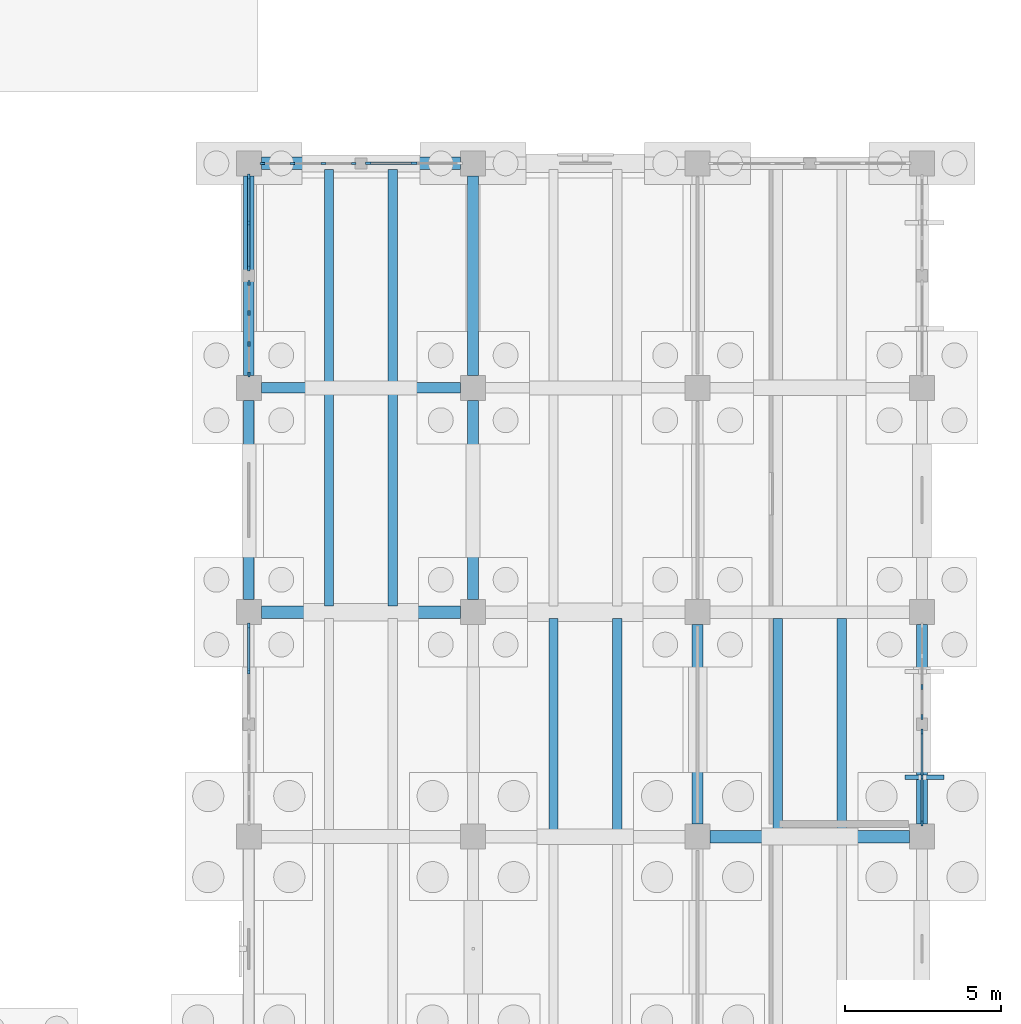
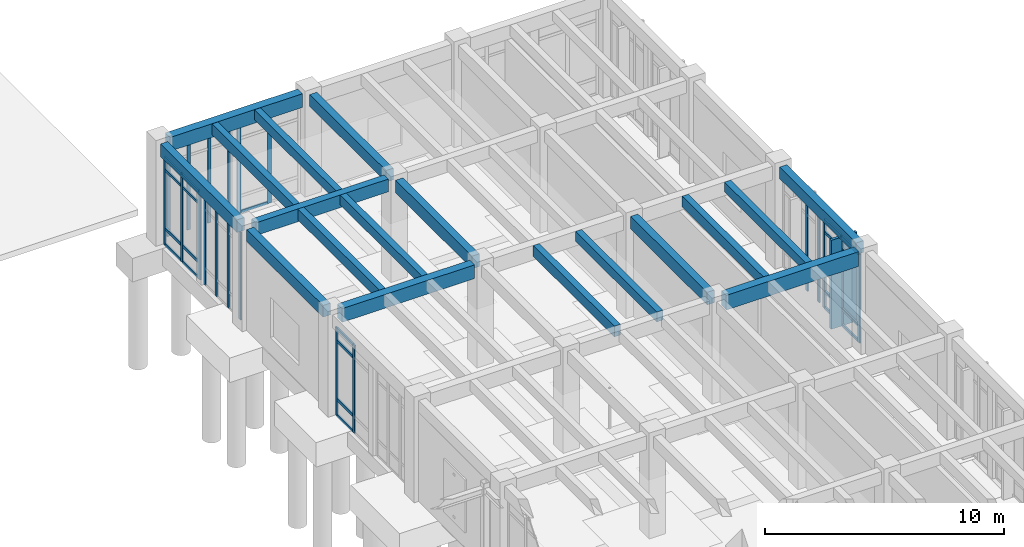
# One storey, part 41 of 93: 42 members, 18 beams, 7 elements without a shape of their own.
"""IFC4 building model written with IfcOpenShell, lengths in metres."""

from ifc_helpers import new_model, si_unit, direction, frame, origin, origin_2d, place, context, subcontext, project, spatial, rectangle, extrude, material, layer, layer_set, material_profile, profile_set, type_object, element, aggregate, save


model = new_model("IFC4")

# Units and contexts
model_context = context("Model", 3, precision=1e-05, world=origin(), true_north=direction((0.0, 1.0)))
body_context = subcontext(model_context, "Body", "Model", "MODEL_VIEW")
ifc_project = project(units=[si_unit("LENGTHUNIT", "METRE"), si_unit("AREAUNIT", "SQUARE_METRE"), si_unit("VOLUMEUNIT", "CUBIC_METRE"), si_unit("PLANEANGLEUNIT", "RADIAN"), si_unit("MASSUNIT", "GRAM", prefix="KILO")], contexts=[model_context])

# Site, building, storey
site_placement = place(None, origin())
site = spatial("IfcSite", under=ifc_project, at=site_placement, CompositionType="ELEMENT")
building_placement = place(site_placement, origin())
building = spatial("IfcBuilding", under=site, at=building_placement, Name="Koriwan Promenade Central Fire Station", CompositionType="ELEMENT")
storey_placement = place(building_placement, origin())
storey = spatial("IfcBuildingStorey", under=building, at=storey_placement, Name="L00", CompositionType="ELEMENT", Elevation=0.0)

# Beams
ifc_material_1 = material(Name="Concrete C35/45", Category="concrete")
ifc_material_profile_1 = material_profile(ifc_material_1, rectangle(XDim=0.300048828125, YDim=0.5, at=origin_2d()), Name="RC-BM-300x500")
ifc_profile_set_1 = profile_set([ifc_material_profile_1], Name="Concrete C35/45")
beam_type_1 = type_object("IfcBeamType", Name="Beam_RC-BM-300x500", PredefinedType="JOIST", material=ifc_profile_set_1)
for number, where, z_axis, x_axis, name in (
    (1, (163.02392578125, 57.800048828125, 4.89990234375), (0.0, 1.0, 0.0), (-1.0, 0.0, 0.0), "V5 L00 secondary joist 609"),
    (2, (170.22412109375, 57.800048828125, 4.89990234375), (0.0, 1.0, 0.0), (-1.0, 0.0, 0.0), "V5 L00 secondary joist 611"),
):
    element("IfcBeam", number, at=place(storey_placement, frame(where, z_axis=z_axis, x_axis=x_axis)), inside=storey, type_object=beam_type_1, Name=name, PredefinedType="JOIST", context=body_context, shape_type="SweptSolid", body=[
        extrude(rectangle(XDim=0.300048828125, YDim=0.5, at=origin_2d()), origin(), (0.0, 0.0, 1.0), 6.800048828125),
    ])
for number, where, z_axis, x_axis, name in (
    (3, (155.823974609375, 65.0, 4.89990234375), (0.0, 1.0, 0.0), (-1.0, 0.0, 0.0), "V5 L00 secondary joist 613"),
    (4, (155.823974609375, 72.175048828125, 4.89990234375), (0.0, 1.0, 0.0), (-1.0, 0.0, 0.0), "V5 L00 secondary joist 619"),
):
    element("IfcBeam", number, at=place(storey_placement, frame(where, z_axis=z_axis, x_axis=x_axis)), inside=storey, type_object=beam_type_1, Name=name, PredefinedType="JOIST", context=body_context, shape_type="SweptSolid", body=[
        extrude(rectangle(XDim=0.300048828125, YDim=0.5, at=origin_2d()), origin(), (0.0, 0.0, 1.0), 6.824951171875),
    ])
ifc_material_profile_2 = material_profile(ifc_material_1, rectangle(XDim=0.300048828125, YDim=0.550048828125, at=origin_2d()), Name="RC-BM-300x550")
ifc_profile_set_2 = profile_set([ifc_material_profile_2], Name="Concrete C35/45")
beam_type_2 = type_object("IfcBeamType", Name="Beam_RC-BM-300x550", PredefinedType="JOIST", material=ifc_profile_set_2)
for number, where, z_axis, x_axis, name in (
    (5, (160.97607421875, 57.800048828125, 4.875), (0.0, 1.0, 0.0), (-1.0, 0.0, 0.0), "V5 L00 secondary joist 608"),
    (6, (168.176025390625, 57.800048828125, 4.875), (0.0, 1.0, 0.0), (-1.0, 0.0, 0.0), "V5 L00 secondary joist 610"),
):
    element("IfcBeam", number, at=place(storey_placement, frame(where, z_axis=z_axis, x_axis=x_axis)), inside=storey, type_object=beam_type_2, Name=name, PredefinedType="JOIST", context=body_context, shape_type="SweptSolid", body=[
        extrude(rectangle(XDim=0.300048828125, YDim=0.550048828125, at=origin_2d()), origin(), (0.0, 0.0, 1.0), 6.800048828125),
    ])
for number, where, z_axis, x_axis, name in (
    (7, (153.77587890625, 65.0, 4.875), (0.0, 1.0, 0.0), (-1.0, 0.0, 0.0), "V5 L00 secondary joist 612"),
    (8, (153.77587890625, 72.175048828125, 4.875), (0.0, 1.0, 0.0), (-1.0, 0.0, 0.0), "V5 L00 secondary joist 618"),
):
    element("IfcBeam", number, at=place(storey_placement, frame(where, z_axis=z_axis, x_axis=x_axis)), inside=storey, type_object=beam_type_2, Name=name, PredefinedType="JOIST", context=body_context, shape_type="SweptSolid", body=[
        extrude(rectangle(XDim=0.300048828125, YDim=0.550048828125, at=origin_2d()), origin(), (0.0, 0.0, 1.0), 6.824951171875),
    ])
ifc_material_profile_3 = material_profile(ifc_material_1, rectangle(XDim=0.35009765625, YDim=0.60009765625, at=origin_2d()), Name="RC-BM-350x600")
ifc_profile_set_3 = profile_set([ifc_material_profile_3], Name="Concrete C35/45")
beam_type_3 = type_object("IfcBeamType", Name="Beam_RC-BM-350x600", PredefinedType="BEAM", material=ifc_profile_set_3)
for number, where, z_axis, x_axis, name in (
    (9, (151.199951171875, 65.199951171875, 4.85009765625), (0.0, 1.0, 0.0), (-1.0, 0.0, 0.0), "V5 L00 girder Y-528"),
    (10, (158.39990234375, 72.39990234375, 4.860107421875), (0.0, 1.0, 0.0), (-1.0, 0.0, 0.0), "V5 L00 girder Y-540"),
):
    element("IfcBeam", number, at=place(storey_placement, frame(where, z_axis=z_axis, x_axis=x_axis)), inside=storey, type_object=beam_type_3, Name=name, PredefinedType="BEAM", context=body_context, shape_type="SweptSolid", body=[
        extrude(rectangle(XDim=0.35009765625, YDim=0.60009765625, at=origin_2d()), origin(), (0.0, 0.0, 1.0), 6.400146484375),
    ])
beam_1_placement = place(storey_placement, frame((172.800048828125, 58.0, 4.85009765625), z_axis=(0.0, 1.0, 0.0), x_axis=(-1.0, 0.0, 0.0)))
element("IfcBeam", 11, at=beam_1_placement, inside=storey, type_object=beam_type_3, Name="V5 L00 girder Y-560", PredefinedType="BEAM", context=body_context, shape_type="SweptSolid", body=[
    extrude(rectangle(XDim=0.35009765625, YDim=0.60009765625, at=origin_2d()), origin(), (0.0, 0.0, 1.0), 6.39990234375),
])
ifc_material_profile_4 = material_profile(ifc_material_1, rectangle(XDim=0.35009765625, YDim=0.64990234375, at=origin_2d()), Name="RC-BM-350x650")
ifc_profile_set_4 = profile_set([ifc_material_profile_4], Name="Concrete C35/45")
beam_type_4 = type_object("IfcBeamType", Name="Beam_RC-BM-350x650", PredefinedType="BEAM", material=ifc_profile_set_4)
for number, where, z_axis, x_axis, name in (
    (12, (151.199951171875, 72.39990234375, 4.8349609375), (0.0, 1.0, 0.0), (-1.0, 0.0, 0.0), "V5 L00 girder Y-529"),
    (13, (158.39990234375, 65.199951171875, 4.824951171875), (0.0, 1.0, 0.0), (-1.0, 0.0, 0.0), "V5 L00 girder Y-539"),
):
    element("IfcBeam", number, at=place(storey_placement, frame(where, z_axis=z_axis, x_axis=x_axis)), inside=storey, type_object=beam_type_4, Name=name, PredefinedType="BEAM", context=body_context, shape_type="SweptSolid", body=[
        extrude(rectangle(XDim=0.35009765625, YDim=0.64990234375, at=origin_2d()), origin(), (0.0, 0.0, 1.0), 6.400146484375),
    ])
beam_2_placement = place(storey_placement, frame((165.60009765625, 58.0, 4.824951171875), z_axis=(0.0, 1.0, 0.0), x_axis=(-1.0, 0.0, 0.0)))
element("IfcBeam", 14, at=beam_2_placement, inside=storey, type_object=beam_type_4, Name="V5 L00 girder Y-549", PredefinedType="BEAM", context=body_context, shape_type="SweptSolid", body=[
    extrude(rectangle(XDim=0.35009765625, YDim=0.64990234375, at=origin_2d()), origin(), (0.0, 0.0, 1.0), 6.39990234375),
])
ifc_material_profile_5 = material_profile(ifc_material_1, rectangle(XDim=0.39990234375, YDim=0.699951171875, at=origin_2d()), Name="RC-BM-400x700")
ifc_profile_set_5 = profile_set([ifc_material_profile_5], Name="Concrete C35/45")
beam_type_5 = type_object("IfcBeamType", Name="Beam_RC-BM-400x700", PredefinedType="BEAM", material=ifc_profile_set_5)
for number, where, z_axis, x_axis, name in (
    (15, (151.60009765625, 64.800048828125, 4.800048828125), (1.0, 0.0, 0.0), (0.0, 1.0, 0.0), "V5 L00 girder X-508"),
    (16, (151.60009765625, 79.199951171875, 4.81005859375), (1.0, 0.0, 0.0), (0.0, 1.0, 0.0), "V5 L00 girder X-514"),
):
    element("IfcBeam", number, at=place(storey_placement, frame(where, z_axis=z_axis, x_axis=x_axis)), inside=storey, type_object=beam_type_5, Name=name, PredefinedType="BEAM", context=body_context, shape_type="SweptSolid", body=[
        extrude(rectangle(XDim=0.39990234375, YDim=0.699951171875, at=origin_2d()), origin(), (0.0, 0.0, 1.0), 6.39990234375),
    ])
ifc_material_profile_6 = material_profile(ifc_material_1, rectangle(XDim=0.39990234375, YDim=0.75, at=origin_2d()), Name="RC-BM-400x750")
ifc_profile_set_6 = profile_set([ifc_material_profile_6], Name="Concrete C35/45")
beam_type_6 = type_object("IfcBeamType", Name="Beam_RC-BM-400x750", PredefinedType="BEAM", material=ifc_profile_set_6)
beam_3_placement = place(storey_placement, frame((166.0, 57.60009765625, 4.77490234375), z_axis=(1.0, 0.0, 0.0), x_axis=(0.0, 1.0, 0.0)))
element("IfcBeam", 17, at=beam_3_placement, inside=storey, type_object=beam_type_6, Name="V5 L00 girder X-507", PredefinedType="BEAM", context=body_context, shape_type="SweptSolid", body=[
    extrude(rectangle(XDim=0.39990234375, YDim=0.75, at=origin_2d()), origin(), (0.0, 0.0, 1.0), 6.39990234375),
])
ifc_material_profile_7 = material_profile(ifc_material_1, rectangle(XDim=0.35009765625, YDim=0.64990234375, at=origin_2d()), Name="RC-SP-350x650")
ifc_profile_set_7 = profile_set([ifc_material_profile_7], Name="Concrete C35/45")
beam_type_7 = type_object("IfcBeamType", Name="Beam_RC-SP-350x650", PredefinedType="SPANDREL", material=ifc_profile_set_7)
beam_4_placement = place(storey_placement, frame((151.60009765625, 72.0, 4.824951171875), z_axis=(1.0, 0.0, 0.0), x_axis=(0.0, 1.0, 0.0)))
element("IfcBeam", 18, at=beam_4_placement, inside=storey, type_object=beam_type_7, Name="V5 L00 girder X-511", PredefinedType="SPANDREL", context=body_context, shape_type="SweptSolid", body=[
    extrude(rectangle(XDim=0.35009765625, YDim=0.64990234375, at=origin_2d()), origin(), (0.0, 0.0, 1.0), 6.39990234375),
])

# Curtain wall, members
ifc_material_2 = material(Name="Aluminium EN AW-6063-T6 and low-E glazing", Category="aluminium")
ifc_layer_1 = layer(ifc_material_2, 0.159912109375, Name="Aluminium EN AW-6063-T6 and low-E glazing")
ifc_layer_set_1 = layer_set([ifc_layer_1], Name="Aluminium EN AW-6063-T6 and low-E glazing")
curtain_wall_type_1 = type_object("IfcCurtainWallType", Name="CurtainWall_53_300x450", PredefinedType="USERDEFINED", material=ifc_layer_set_1)
curtain_wall_1_placement = place(storey_placement, origin())
curtain_wall_1 = element("IfcCurtainWall", 19, at=curtain_wall_1_placement, inside=storey, type_object=curtain_wall_type_1, Name="V5 L00 unitised curtain wall 143", ObjectType="UNITISED CURTAIN WALL", PredefinedType="USERDEFINED")
ifc_material_3 = material(Name="Aluminium EN AW-6063-T6", Category="aluminium")
ifc_material_profile_8 = material_profile(ifc_material_3, rectangle(XDim=0.06494140625, YDim=0.159912109375, at=origin_2d()), Name="ALU-MUL-65x160")
ifc_profile_set_8 = profile_set([ifc_material_profile_8], Name="Aluminium EN AW-6063-T6")
member_type_1 = type_object("IfcMemberType", Name="CWMullion_ALU-MUL-65x160", PredefinedType="MULLION", material=ifc_profile_set_8)
member_1_placement = place(storey_placement, frame((151.199951171875, 72.4326171875, 0.0), z_axis=(0.0, 0.0, 1.0), x_axis=(-1.0, 0.0, 0.0)))
member_1 = element("IfcMember", 20, at=member_1_placement, type_object=member_type_1, Name="CW-53 mullion 1", PredefinedType="MULLION", context=body_context, shape_type="SweptSolid", body=[
    extrude(rectangle(XDim=0.06494140625, YDim=0.159912109375, at=origin_2d()), origin(), (0.0, 0.0, 1.0), 4.5),
])
member_2_placement = place(storey_placement, frame((151.199951171875, 73.39990234375, 0.0), z_axis=(0.0, 0.0, 1.0), x_axis=(-1.0, 0.0, 0.0)))
member_2 = element("IfcMember", 21, at=member_2_placement, type_object=member_type_1, Name="CW-53 mullion 2", PredefinedType="MULLION", context=body_context, shape_type="SweptSolid", body=[
    extrude(rectangle(XDim=0.06494140625, YDim=0.159912109375, at=origin_2d()), origin(), (0.0, 0.0, 1.0), 4.5),
])
member_3_placement = place(storey_placement, frame((151.199951171875, 74.39990234375, 0.0), z_axis=(0.0, 0.0, 1.0), x_axis=(-1.0, 0.0, 0.0)))
member_3 = element("IfcMember", 22, at=member_3_placement, type_object=member_type_1, Name="CW-53 mullion 3", PredefinedType="MULLION", context=body_context, shape_type="SweptSolid", body=[
    extrude(rectangle(XDim=0.06494140625, YDim=0.159912109375, at=origin_2d()), origin(), (0.0, 0.0, 1.0), 4.5),
])
member_4_placement = place(storey_placement, frame((151.199951171875, 75.367431640625, 0.0), z_axis=(0.0, 0.0, 1.0), x_axis=(-1.0, 0.0, 0.0)))
member_4 = element("IfcMember", 23, at=member_4_placement, type_object=member_type_1, Name="CW-53 mullion 4", PredefinedType="MULLION", context=body_context, shape_type="SweptSolid", body=[
    extrude(rectangle(XDim=0.06494140625, YDim=0.159912109375, at=origin_2d()), origin(), (0.0, 0.0, 1.0), 4.5),
])
aggregate(curtain_wall_1, [member_1, member_2, member_3, member_4])

ifc_layer_2 = layer(ifc_material_2, 0.159912109375, Name="Aluminium EN AW-6063-T6 and low-E glazing")
ifc_layer_set_2 = layer_set([ifc_layer_2], Name="Aluminium EN AW-6063-T6 and low-E glazing")
curtain_wall_type_2 = type_object("IfcCurtainWallType", Name="CurtainWall_55_300x445", PredefinedType="USERDEFINED", material=ifc_layer_set_2)
curtain_wall_2_placement = place(storey_placement, origin())
curtain_wall_2 = element("IfcCurtainWall", 24, at=curtain_wall_2_placement, inside=storey, type_object=curtain_wall_type_2, Name="V5 L00 unitised curtain wall 145", ObjectType="UNITISED CURTAIN WALL", PredefinedType="USERDEFINED")
member_5_placement = place(storey_placement, frame((151.632568359375, 79.199951171875, 0.0), z_axis=(0.0, 0.0, 1.0), x_axis=(0.0, 1.0, 0.0)))
member_5 = element("IfcMember", 25, at=member_5_placement, type_object=member_type_1, Name="CW-55 mullion 1", PredefinedType="MULLION", context=body_context, shape_type="SweptSolid", body=[
    extrude(rectangle(XDim=0.06494140625, YDim=0.159912109375, at=origin_2d()), origin(), (0.0, 0.0, 1.0), 4.449951171875),
])
member_6_placement = place(storey_placement, frame((152.60009765625, 79.199951171875, 0.0), z_axis=(0.0, 0.0, 1.0), x_axis=(0.0, 1.0, 0.0)))
member_6 = element("IfcMember", 26, at=member_6_placement, type_object=member_type_1, Name="CW-55 mullion 2", PredefinedType="MULLION", context=body_context, shape_type="SweptSolid", body=[
    extrude(rectangle(XDim=0.06494140625, YDim=0.159912109375, at=origin_2d()), origin(), (0.0, 0.0, 1.0), 4.449951171875),
])
member_7_placement = place(storey_placement, frame((153.60009765625, 79.199951171875, 0.0), z_axis=(0.0, 0.0, 1.0), x_axis=(0.0, 1.0, 0.0)))
member_7 = element("IfcMember", 27, at=member_7_placement, type_object=member_type_1, Name="CW-55 mullion 3", PredefinedType="MULLION", context=body_context, shape_type="SweptSolid", body=[
    extrude(rectangle(XDim=0.06494140625, YDim=0.159912109375, at=origin_2d()), origin(), (0.0, 0.0, 1.0), 4.449951171875),
])
member_8_placement = place(storey_placement, frame((154.5673828125, 79.199951171875, 0.0), z_axis=(0.0, 0.0, 1.0), x_axis=(0.0, 1.0, 0.0)))
member_8 = element("IfcMember", 28, at=member_8_placement, type_object=member_type_1, Name="CW-55 mullion 4", PredefinedType="MULLION", context=body_context, shape_type="SweptSolid", body=[
    extrude(rectangle(XDim=0.06494140625, YDim=0.159912109375, at=origin_2d()), origin(), (0.0, 0.0, 1.0), 4.449951171875),
])
aggregate(curtain_wall_2, [member_5, member_6, member_7, member_8])

ifc_layer_3 = layer(ifc_material_2, 0.159912109375, Name="Aluminium EN AW-6063-T6 and low-E glazing")
ifc_layer_set_3 = layer_set([ifc_layer_3], Name="Aluminium EN AW-6063-T6 and low-E glazing")
curtain_wall_type_3 = type_object("IfcCurtainWallType", Name="CurtainWall_59_300x454", PredefinedType="USERDEFINED", material=ifc_layer_set_3)
curtain_wall_3_placement = place(storey_placement, origin())
curtain_wall_3 = element("IfcCurtainWall", 29, at=curtain_wall_3_placement, inside=storey, type_object=curtain_wall_type_3, Name="V5 L00 unitised curtain wall 151", ObjectType="UNITISED CURTAIN WALL", PredefinedType="USERDEFINED")
member_9_placement = place(storey_placement, frame((172.800048828125, 62.39990234375, 0.0), z_axis=(0.0, 0.0, 1.0), x_axis=(1.0, 0.0, 0.0)))
member_9 = element("IfcMember", 30, at=member_9_placement, type_object=member_type_1, Name="CW-59 mullion 3", PredefinedType="MULLION", context=body_context, shape_type="SweptSolid", body=[
    extrude(rectangle(XDim=0.06494140625, YDim=0.159912109375, at=origin_2d()), origin(), (0.0, 0.0, 1.0), 4.5400390625),
])
member_10_placement = place(storey_placement, frame((172.800048828125, 61.4326171875, 0.0), z_axis=(0.0, 0.0, 1.0), x_axis=(1.0, 0.0, 0.0)))
member_10 = element("IfcMember", 31, at=member_10_placement, type_object=member_type_1, Name="CW-59 mullion 4", PredefinedType="MULLION", context=body_context, shape_type="SweptSolid", body=[
    extrude(rectangle(XDim=0.06494140625, YDim=0.159912109375, at=origin_2d()), origin(), (0.0, 0.0, 1.0), 4.5400390625),
])
aggregate(curtain_wall_3, [member_9, member_10])

ifc_layer_4 = layer(ifc_material_2, 0.159912109375, Name="Aluminium EN AW-6063-T6 and low-E glazing")
ifc_layer_set_4 = layer_set([ifc_layer_4], Name="Aluminium EN AW-6063-T6 and low-E glazing")
curtain_wall_type_4 = type_object("IfcCurtainWallType", Name="CurtainWall_52_300x449", PredefinedType="USERDEFINED", material=ifc_layer_set_4)
curtain_wall_4_placement = place(storey_placement, origin())
curtain_wall_4 = element("IfcCurtainWall", 32, at=curtain_wall_4_placement, inside=storey, type_object=curtain_wall_type_4, Name="V5 L00 unitised curtain wall 142", ObjectType="UNITISED CURTAIN WALL", PredefinedType="USERDEFINED")
ifc_material_profile_9 = material_profile(ifc_material_3, rectangle(XDim=0.074951171875, YDim=0.179931640625, at=origin_2d()), Name="ALU-MUL-75x180")
ifc_profile_set_9 = profile_set([ifc_material_profile_9], Name="Aluminium EN AW-6063-T6")
member_type_2 = type_object("IfcMemberType", Name="CWMullion_ALU-MUL-75x180", PredefinedType="MULLION", material=ifc_profile_set_9)
member_11_placement = place(storey_placement, frame((151.199951171875, 62.89990234375, 0.0), z_axis=(0.0, 0.0, 1.0), x_axis=(-1.0, 0.0, 0.0)))
member_11 = element("IfcMember", 33, at=member_11_placement, type_object=member_type_2, Name="CW-52 mullion 2", PredefinedType="MULLION", context=body_context, shape_type="SweptSolid", body=[
    extrude(rectangle(XDim=0.074951171875, YDim=0.179931640625, at=origin_2d()), origin(), (0.0, 0.0, 1.0), 4.489990234375),
])
member_12_placement = place(storey_placement, frame((151.199951171875, 64.362548828125, 0.0), z_axis=(0.0, 0.0, 1.0), x_axis=(-1.0, 0.0, 0.0)))
member_12 = element("IfcMember", 34, at=member_12_placement, type_object=member_type_2, Name="CW-52 mullion 3", PredefinedType="MULLION", context=body_context, shape_type="SweptSolid", body=[
    extrude(rectangle(XDim=0.074951171875, YDim=0.179931640625, at=origin_2d()), origin(), (0.0, 0.0, 1.0), 4.489990234375),
])

ifc_layer_5 = layer(ifc_material_2, 0.159912109375, Name="Aluminium EN AW-6063-T6 and low-E glazing")
ifc_layer_set_5 = layer_set([ifc_layer_5], Name="Aluminium EN AW-6063-T6 and low-E glazing")
curtain_wall_type_5 = type_object("IfcCurtainWallType", Name="CurtainWall_54_300x450", PredefinedType="USERDEFINED", material=ifc_layer_set_5)
curtain_wall_5_placement = place(storey_placement, origin())
curtain_wall_5 = element("IfcCurtainWall", 35, at=curtain_wall_5_placement, inside=storey, type_object=curtain_wall_type_5, Name="V5 L00 unitised curtain wall 144", ObjectType="UNITISED CURTAIN WALL", PredefinedType="USERDEFINED")
member_13_placement = place(storey_placement, frame((151.199951171875, 75.83740234375, 0.0), z_axis=(0.0, 0.0, 1.0), x_axis=(-1.0, 0.0, 0.0)))
member_13 = element("IfcMember", 36, at=member_13_placement, type_object=member_type_2, Name="CW-54 mullion 1", PredefinedType="MULLION", context=body_context, shape_type="SweptSolid", body=[
    extrude(rectangle(XDim=0.074951171875, YDim=0.179931640625, at=origin_2d()), origin(), (0.0, 0.0, 1.0), 4.5),
])
member_14_placement = place(storey_placement, frame((151.199951171875, 77.300048828125, 0.0), z_axis=(0.0, 0.0, 1.0), x_axis=(-1.0, 0.0, 0.0)))
member_14 = element("IfcMember", 37, at=member_14_placement, type_object=member_type_2, Name="CW-54 mullion 2", PredefinedType="MULLION", context=body_context, shape_type="SweptSolid", body=[
    extrude(rectangle(XDim=0.074951171875, YDim=0.179931640625, at=origin_2d()), origin(), (0.0, 0.0, 1.0), 4.5),
])
member_15_placement = place(storey_placement, frame((151.199951171875, 78.762451171875, 0.0), z_axis=(0.0, 0.0, 1.0), x_axis=(-1.0, 0.0, 0.0)))
member_15 = element("IfcMember", 38, at=member_15_placement, type_object=member_type_2, Name="CW-54 mullion 3", PredefinedType="MULLION", context=body_context, shape_type="SweptSolid", body=[
    extrude(rectangle(XDim=0.074951171875, YDim=0.179931640625, at=origin_2d()), origin(), (0.0, 0.0, 1.0), 4.5),
])

ifc_layer_6 = layer(ifc_material_2, 0.159912109375, Name="Aluminium EN AW-6063-T6 and low-E glazing")
ifc_layer_set_6 = layer_set([ifc_layer_6], Name="Aluminium EN AW-6063-T6 and low-E glazing")
curtain_wall_type_6 = type_object("IfcCurtainWallType", Name="CurtainWall_56_300x445", PredefinedType="USERDEFINED", material=ifc_layer_set_6)
curtain_wall_6_placement = place(storey_placement, origin())
curtain_wall_6 = element("IfcCurtainWall", 39, at=curtain_wall_6_placement, inside=storey, type_object=curtain_wall_type_6, Name="V5 L00 unitised curtain wall 146", ObjectType="UNITISED CURTAIN WALL", PredefinedType="USERDEFINED")
member_16_placement = place(storey_placement, frame((155.03759765625, 79.199951171875, 0.0), z_axis=(0.0, 0.0, 1.0), x_axis=(0.0, 1.0, 0.0)))
member_16 = element("IfcMember", 40, at=member_16_placement, type_object=member_type_2, Name="CW-56 mullion 1", PredefinedType="MULLION", context=body_context, shape_type="SweptSolid", body=[
    extrude(rectangle(XDim=0.074951171875, YDim=0.179931640625, at=origin_2d()), origin(), (0.0, 0.0, 1.0), 4.449951171875),
])
member_17_placement = place(storey_placement, frame((156.5, 79.199951171875, 0.0), z_axis=(0.0, 0.0, 1.0), x_axis=(0.0, 1.0, 0.0)))
member_17 = element("IfcMember", 41, at=member_17_placement, type_object=member_type_2, Name="CW-56 mullion 2", PredefinedType="MULLION", context=body_context, shape_type="SweptSolid", body=[
    extrude(rectangle(XDim=0.074951171875, YDim=0.179931640625, at=origin_2d()), origin(), (0.0, 0.0, 1.0), 4.449951171875),
])

ifc_layer_7 = layer(ifc_material_2, 0.159912109375, Name="Aluminium EN AW-6063-T6 and low-E glazing")
ifc_layer_set_7 = layer_set([ifc_layer_7], Name="Aluminium EN AW-6063-T6 and low-E glazing")
curtain_wall_type_7 = type_object("IfcCurtainWallType", Name="CurtainWall_60_300x454", PredefinedType="USERDEFINED", material=ifc_layer_set_7)
curtain_wall_7_placement = place(storey_placement, origin())
curtain_wall_7 = element("IfcCurtainWall", 42, at=curtain_wall_7_placement, inside=storey, type_object=curtain_wall_type_7, Name="V5 L00 unitised curtain wall 152", ObjectType="UNITISED CURTAIN WALL", PredefinedType="USERDEFINED")
member_18_placement = place(storey_placement, frame((172.800048828125, 60.96240234375, 0.0), z_axis=(0.0, 0.0, 1.0), x_axis=(1.0, 0.0, 0.0)))
member_18 = element("IfcMember", 43, at=member_18_placement, type_object=member_type_2, Name="CW-60 mullion 1", PredefinedType="MULLION", context=body_context, shape_type="SweptSolid", body=[
    extrude(rectangle(XDim=0.074951171875, YDim=0.179931640625, at=origin_2d()), origin(), (0.0, 0.0, 1.0), 4.5400390625),
])
member_19_placement = place(storey_placement, frame((172.800048828125, 59.5, 0.0), z_axis=(0.0, 0.0, 1.0), x_axis=(1.0, 0.0, 0.0)))
member_19 = element("IfcMember", 44, at=member_19_placement, type_object=member_type_2, Name="CW-60 mullion 2", PredefinedType="MULLION", context=body_context, shape_type="SweptSolid", body=[
    extrude(rectangle(XDim=0.074951171875, YDim=0.179931640625, at=origin_2d()), origin(), (0.0, 0.0, 1.0), 4.5400390625),
])
member_20_placement = place(storey_placement, frame((172.800048828125, 58.03759765625, 0.0), z_axis=(0.0, 0.0, 1.0), x_axis=(1.0, 0.0, 0.0)))
member_20 = element("IfcMember", 45, at=member_20_placement, type_object=member_type_2, Name="CW-60 mullion 3", PredefinedType="MULLION", context=body_context, shape_type="SweptSolid", body=[
    extrude(rectangle(XDim=0.074951171875, YDim=0.179931640625, at=origin_2d()), origin(), (0.0, 0.0, 1.0), 4.5400390625),
])

# Member
ifc_material_profile_10 = material_profile(ifc_material_3, rectangle(XDim=0.074951171875, YDim=0.139892578125, at=origin_2d()), Name="ALU-TRN-75x140")
ifc_profile_set_10 = profile_set([ifc_material_profile_10], Name="Aluminium EN AW-6063-T6")
member_type_3 = type_object("IfcMemberType", Name="CWTransom_ALU-TRN-75x140", PredefinedType="USERDEFINED", material=ifc_profile_set_10)
member_21_placement = place(storey_placement, frame((151.199951171875, 62.9375, 0.03759765625), z_axis=(0.0, 1.0, 0.0), x_axis=(-1.0, 0.0, 0.0)))
member_21 = element("IfcMember", 46, at=member_21_placement, type_object=member_type_3, Name="CW-52 transom 2.1", ObjectType="TRANSOM", PredefinedType="USERDEFINED", context=body_context, shape_type="SweptSolid", body=[
    extrude(rectangle(XDim=0.074951171875, YDim=0.139892578125, at=origin_2d()), origin(), (0.0, 0.0, 1.0), 1.387451171875),
])

member_22_placement = place(storey_placement, frame((151.199951171875, 62.9375, 0.85009765625), z_axis=(0.0, 1.0, 0.0), x_axis=(-1.0, 0.0, 0.0)))
member_22 = element("IfcMember", 47, at=member_22_placement, type_object=member_type_3, Name="CW-52 transom 2.2", ObjectType="TRANSOM", PredefinedType="USERDEFINED", context=body_context, shape_type="SweptSolid", body=[
    extrude(rectangle(XDim=0.074951171875, YDim=0.139892578125, at=origin_2d()), origin(), (0.0, 0.0, 1.0), 1.387451171875),
])

member_23_placement = place(storey_placement, frame((151.199951171875, 62.9375, 3.840087890625), z_axis=(0.0, 1.0, 0.0), x_axis=(-1.0, 0.0, 0.0)))
member_23 = element("IfcMember", 48, at=member_23_placement, type_object=member_type_3, Name="CW-52 transom 2.3", ObjectType="TRANSOM", PredefinedType="USERDEFINED", context=body_context, shape_type="SweptSolid", body=[
    extrude(rectangle(XDim=0.074951171875, YDim=0.139892578125, at=origin_2d()), origin(), (0.0, 0.0, 1.0), 1.387451171875),
])

member_24_placement = place(storey_placement, frame((151.199951171875, 62.9375, 4.452392578125), z_axis=(0.0, 1.0, 0.0), x_axis=(-1.0, 0.0, 0.0)))
member_24 = element("IfcMember", 49, at=member_24_placement, type_object=member_type_3, Name="CW-52 transom 2.4", ObjectType="TRANSOM", PredefinedType="USERDEFINED", context=body_context, shape_type="SweptSolid", body=[
    extrude(rectangle(XDim=0.074951171875, YDim=0.139892578125, at=origin_2d()), origin(), (0.0, 0.0, 1.0), 1.387451171875),
])

aggregate(curtain_wall_4, [member_11, member_12, member_21, member_22, member_23, member_24])

member_25_placement = place(storey_placement, frame((151.199951171875, 75.875, 0.03759765625), z_axis=(0.0, 1.0, 0.0), x_axis=(-1.0, 0.0, 0.0)))
member_25 = element("IfcMember", 50, at=member_25_placement, type_object=member_type_3, Name="CW-54 transom 1.1", ObjectType="TRANSOM", PredefinedType="USERDEFINED", context=body_context, shape_type="SweptSolid", body=[
    extrude(rectangle(XDim=0.074951171875, YDim=0.139892578125, at=origin_2d()), origin(), (0.0, 0.0, 1.0), 1.387451171875),
])

member_26_placement = place(storey_placement, frame((151.199951171875, 75.875, 0.85009765625), z_axis=(0.0, 1.0, 0.0), x_axis=(-1.0, 0.0, 0.0)))
member_26 = element("IfcMember", 51, at=member_26_placement, type_object=member_type_3, Name="CW-54 transom 1.2", ObjectType="TRANSOM", PredefinedType="USERDEFINED", context=body_context, shape_type="SweptSolid", body=[
    extrude(rectangle(XDim=0.074951171875, YDim=0.139892578125, at=origin_2d()), origin(), (0.0, 0.0, 1.0), 1.387451171875),
])

member_27_placement = place(storey_placement, frame((151.199951171875, 75.875, 3.85009765625), z_axis=(0.0, 1.0, 0.0), x_axis=(-1.0, 0.0, 0.0)))
member_27 = element("IfcMember", 52, at=member_27_placement, type_object=member_type_3, Name="CW-54 transom 1.3", ObjectType="TRANSOM", PredefinedType="USERDEFINED", context=body_context, shape_type="SweptSolid", body=[
    extrude(rectangle(XDim=0.074951171875, YDim=0.139892578125, at=origin_2d()), origin(), (0.0, 0.0, 1.0), 1.387451171875),
])

member_28_placement = place(storey_placement, frame((151.199951171875, 75.875, 4.46240234375), z_axis=(0.0, 1.0, 0.0), x_axis=(-1.0, 0.0, 0.0)))
member_28 = element("IfcMember", 53, at=member_28_placement, type_object=member_type_3, Name="CW-54 transom 1.4", ObjectType="TRANSOM", PredefinedType="USERDEFINED", context=body_context, shape_type="SweptSolid", body=[
    extrude(rectangle(XDim=0.074951171875, YDim=0.139892578125, at=origin_2d()), origin(), (0.0, 0.0, 1.0), 1.387451171875),
])

member_29_placement = place(storey_placement, frame((151.199951171875, 77.33740234375, 0.03759765625), z_axis=(0.0, 1.0, 0.0), x_axis=(-1.0, 0.0, 0.0)))
member_29 = element("IfcMember", 54, at=member_29_placement, type_object=member_type_3, Name="CW-54 transom 2.1", ObjectType="TRANSOM", PredefinedType="USERDEFINED", context=body_context, shape_type="SweptSolid", body=[
    extrude(rectangle(XDim=0.074951171875, YDim=0.139892578125, at=origin_2d()), origin(), (0.0, 0.0, 1.0), 1.3876953125),
])

member_30_placement = place(storey_placement, frame((151.199951171875, 77.33740234375, 0.85009765625), z_axis=(0.0, 1.0, 0.0), x_axis=(-1.0, 0.0, 0.0)))
member_30 = element("IfcMember", 55, at=member_30_placement, type_object=member_type_3, Name="CW-54 transom 2.2", ObjectType="TRANSOM", PredefinedType="USERDEFINED", context=body_context, shape_type="SweptSolid", body=[
    extrude(rectangle(XDim=0.074951171875, YDim=0.139892578125, at=origin_2d()), origin(), (0.0, 0.0, 1.0), 1.3876953125),
])

member_31_placement = place(storey_placement, frame((151.199951171875, 77.33740234375, 3.85009765625), z_axis=(0.0, 1.0, 0.0), x_axis=(-1.0, 0.0, 0.0)))
member_31 = element("IfcMember", 56, at=member_31_placement, type_object=member_type_3, Name="CW-54 transom 2.3", ObjectType="TRANSOM", PredefinedType="USERDEFINED", context=body_context, shape_type="SweptSolid", body=[
    extrude(rectangle(XDim=0.074951171875, YDim=0.139892578125, at=origin_2d()), origin(), (0.0, 0.0, 1.0), 1.3876953125),
])

member_32_placement = place(storey_placement, frame((151.199951171875, 77.33740234375, 4.46240234375), z_axis=(0.0, 1.0, 0.0), x_axis=(-1.0, 0.0, 0.0)))
member_32 = element("IfcMember", 57, at=member_32_placement, type_object=member_type_3, Name="CW-54 transom 2.4", ObjectType="TRANSOM", PredefinedType="USERDEFINED", context=body_context, shape_type="SweptSolid", body=[
    extrude(rectangle(XDim=0.074951171875, YDim=0.139892578125, at=origin_2d()), origin(), (0.0, 0.0, 1.0), 1.3876953125),
])

aggregate(curtain_wall_5, [member_13, member_14, member_15, member_25, member_26, member_27, member_28, member_29, member_30, member_31, member_32])

member_33_placement = place(storey_placement, frame((155.074951171875, 79.199951171875, 0.03759765625), z_axis=(1.0, 0.0, 0.0), x_axis=(0.0, 1.0, 0.0)))
member_33 = element("IfcMember", 58, at=member_33_placement, type_object=member_type_3, Name="CW-56 transom 1.1", ObjectType="TRANSOM", PredefinedType="USERDEFINED", context=body_context, shape_type="SweptSolid", body=[
    extrude(rectangle(XDim=0.074951171875, YDim=0.139892578125, at=origin_2d()), origin(), (0.0, 0.0, 1.0), 1.387451171875),
])

aggregate(curtain_wall_6, [member_16, member_17, member_33])

member_34_placement = place(storey_placement, frame((172.800048828125, 60.925048828125, 0.03759765625), z_axis=(0.0, -1.0, 0.0), x_axis=(1.0, 0.0, 0.0)))
member_34 = element("IfcMember", 59, at=member_34_placement, type_object=member_type_3, Name="CW-60 transom 1.1", ObjectType="TRANSOM", PredefinedType="USERDEFINED", context=body_context, shape_type="SweptSolid", body=[
    extrude(rectangle(XDim=0.074951171875, YDim=0.139892578125, at=origin_2d()), origin(), (0.0, 0.0, 1.0), 1.387451171875),
])

member_35_placement = place(storey_placement, frame((172.800048828125, 60.925048828125, 0.85009765625), z_axis=(0.0, -1.0, 0.0), x_axis=(1.0, 0.0, 0.0)))
member_35 = element("IfcMember", 60, at=member_35_placement, type_object=member_type_3, Name="CW-60 transom 1.2", ObjectType="TRANSOM", PredefinedType="USERDEFINED", context=body_context, shape_type="SweptSolid", body=[
    extrude(rectangle(XDim=0.074951171875, YDim=0.139892578125, at=origin_2d()), origin(), (0.0, 0.0, 1.0), 1.387451171875),
])

member_36_placement = place(storey_placement, frame((172.800048828125, 60.925048828125, 3.889892578125), z_axis=(0.0, -1.0, 0.0), x_axis=(1.0, 0.0, 0.0)))
member_36 = element("IfcMember", 61, at=member_36_placement, type_object=member_type_3, Name="CW-60 transom 1.3", ObjectType="TRANSOM", PredefinedType="USERDEFINED", context=body_context, shape_type="SweptSolid", body=[
    extrude(rectangle(XDim=0.074951171875, YDim=0.139892578125, at=origin_2d()), origin(), (0.0, 0.0, 1.0), 1.387451171875),
])

member_37_placement = place(storey_placement, frame((172.800048828125, 60.925048828125, 4.50244140625), z_axis=(0.0, -1.0, 0.0), x_axis=(1.0, 0.0, 0.0)))
member_37 = element("IfcMember", 62, at=member_37_placement, type_object=member_type_3, Name="CW-60 transom 1.4", ObjectType="TRANSOM", PredefinedType="USERDEFINED", context=body_context, shape_type="SweptSolid", body=[
    extrude(rectangle(XDim=0.074951171875, YDim=0.139892578125, at=origin_2d()), origin(), (0.0, 0.0, 1.0), 1.387451171875),
])

member_38_placement = place(storey_placement, frame((172.800048828125, 59.46240234375, 0.03759765625), z_axis=(0.0, -1.0, 0.0), x_axis=(1.0, 0.0, 0.0)))
member_38 = element("IfcMember", 63, at=member_38_placement, type_object=member_type_3, Name="CW-60 transom 2.1", ObjectType="TRANSOM", PredefinedType="USERDEFINED", context=body_context, shape_type="SweptSolid", body=[
    extrude(rectangle(XDim=0.074951171875, YDim=0.139892578125, at=origin_2d()), origin(), (0.0, 0.0, 1.0), 1.387451171875),
])

member_39_placement = place(storey_placement, frame((172.800048828125, 59.46240234375, 0.85009765625), z_axis=(0.0, -1.0, 0.0), x_axis=(1.0, 0.0, 0.0)))
member_39 = element("IfcMember", 64, at=member_39_placement, type_object=member_type_3, Name="CW-60 transom 2.2", ObjectType="TRANSOM", PredefinedType="USERDEFINED", context=body_context, shape_type="SweptSolid", body=[
    extrude(rectangle(XDim=0.074951171875, YDim=0.139892578125, at=origin_2d()), origin(), (0.0, 0.0, 1.0), 1.387451171875),
])

member_40_placement = place(storey_placement, frame((172.800048828125, 59.46240234375, 3.889892578125), z_axis=(0.0, -1.0, 0.0), x_axis=(1.0, 0.0, 0.0)))
member_40 = element("IfcMember", 65, at=member_40_placement, type_object=member_type_3, Name="CW-60 transom 2.3", ObjectType="TRANSOM", PredefinedType="USERDEFINED", context=body_context, shape_type="SweptSolid", body=[
    extrude(rectangle(XDim=0.074951171875, YDim=0.139892578125, at=origin_2d()), origin(), (0.0, 0.0, 1.0), 1.387451171875),
])

member_41_placement = place(storey_placement, frame((172.800048828125, 59.46240234375, 4.50244140625), z_axis=(0.0, -1.0, 0.0), x_axis=(1.0, 0.0, 0.0)))
member_41 = element("IfcMember", 66, at=member_41_placement, type_object=member_type_3, Name="CW-60 transom 2.4", ObjectType="TRANSOM", PredefinedType="USERDEFINED", context=body_context, shape_type="SweptSolid", body=[
    extrude(rectangle(XDim=0.074951171875, YDim=0.139892578125, at=origin_2d()), origin(), (0.0, 0.0, 1.0), 1.387451171875),
])

aggregate(curtain_wall_7, [member_18, member_19, member_20, member_34, member_35, member_36, member_37, member_38, member_39, member_40, member_41])

ifc_material_4 = material(Name="Aluminium EN AW-6063-T6 terracotta finish", Category="masonry")
ifc_material_profile_11 = material_profile(ifc_material_4, rectangle(XDim=0.139892578125, YDim=1.25, at=origin_2d()), Name="FIN-TRC-140x1250")
ifc_profile_set_11 = profile_set([ifc_material_profile_11], Name="Aluminium EN AW-6063-T6 terracotta finish")
member_type_4 = type_object("IfcMemberType", Name="SolarFin_FIN-TRC-140x1250", PredefinedType="USERDEFINED", material=ifc_profile_set_11)
member_42_placement = place(storey_placement, frame((172.875, 59.5, 0.0), z_axis=(0.0, 0.0, 1.0), x_axis=(0.0, -1.0, 0.0)))
element("IfcMember", 67, at=member_42_placement, inside=storey, type_object=member_type_4, Name="V5 L00 terracotta solar fin 020", ObjectType="SOLAR FIN", PredefinedType="USERDEFINED", context=body_context, shape_type="SweptSolid", body=[
    extrude(rectangle(XDim=0.139892578125, YDim=1.25, at=origin_2d()), origin(), (0.0, 0.0, 1.0), 4.5400390625),
])

save(model, "model.ifc")
